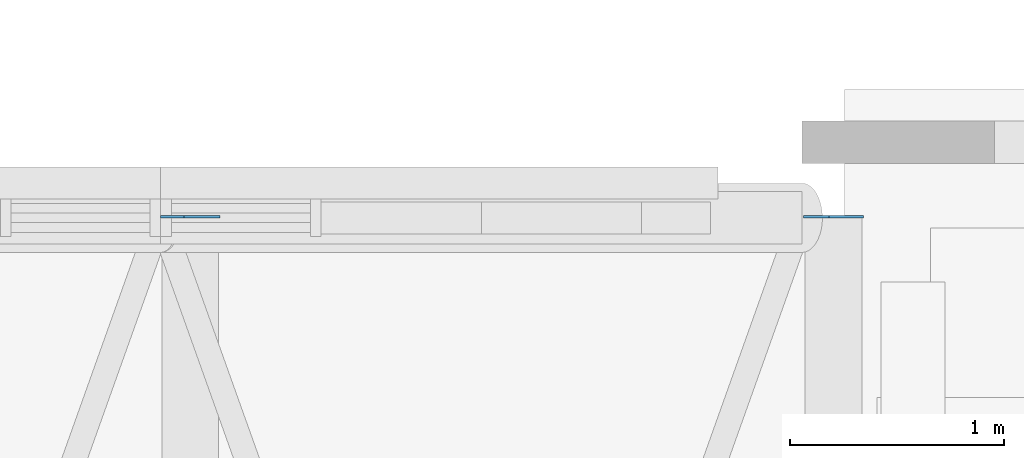
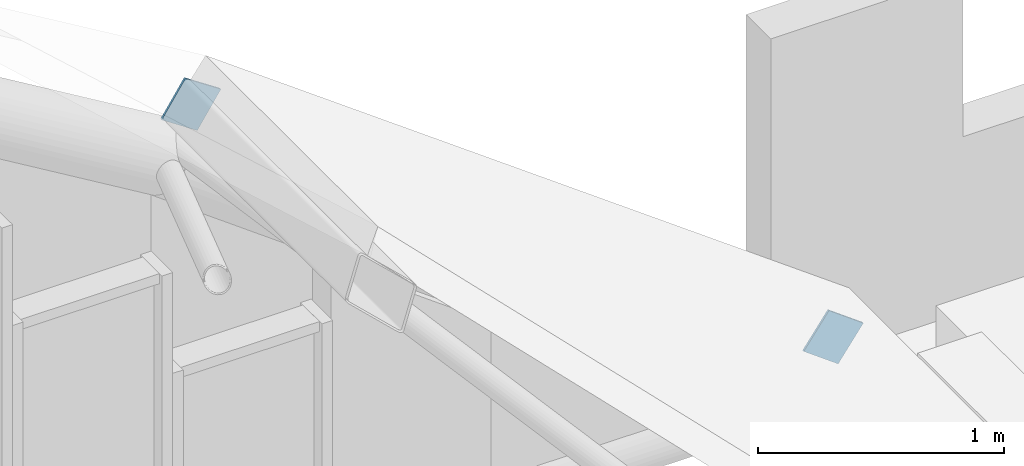
# One storey, part 132 of 153: 2 discrete accessories.
"""IFC4 building model written with IfcOpenShell, lengths in metres."""

import ifcopenshell
import ifcopenshell.guid

model = None  # the IFC model being written
_history = None  # IfcOwnerHistory: only IFC2X3 demands one
_inside = {}  # id of a spatial element -> (the spatial element, [elements in it])
_under = {}  # id of a project, library or spatial element -> (it, [spatial elements below it])
_declared = {}  # id of a project -> (the project, [libraries it declares])
_typed = {}  # id of a type object -> (the type object, [elements of that type])
_made_of = {}  # id of a material, layer set ... -> (it, [elements and type objects made of it])


def new_model(schema):
    """Start an empty IFC model of exactly this schema.

    Asked for "IFC4X3", IfcOpenShell would pick the latest addendum, in which some entities
    have other attributes; the version numbers below select the first issue.
    IFC2X3 requires an IfcOwnerHistory on every rooted entity: one is made here for all.
    """
    global model, _history
    if schema == "IFC4X3":
        model = ifcopenshell.file(schema_version=(4, 3, 0, 0))
    else:
        model = ifcopenshell.file(schema=schema)
    _inside.clear()
    _under.clear()
    _declared.clear()
    _typed.clear()
    _made_of.clear()
    _history = None
    if model.schema == "IFC2X3":
        org = make("IfcOrganization", Name="unknown")
        user = make(
            "IfcPersonAndOrganization",
            ThePerson=make("IfcPerson", FamilyName="unknown"),
            TheOrganization=org,
        )
        app = make(
            "IfcApplication",
            ApplicationDeveloper=org,
            Version="unknown",
            ApplicationFullName="unknown",
            ApplicationIdentifier="unknown",
        )
        _history = make(
            "IfcOwnerHistory",
            OwningUser=user,
            OwningApplication=app,
            ChangeAction="ADDED",
            CreationDate=0,
        )
    return model


def make(cls, **values):
    """One entity of the class cls with the attributes given. An attribute that is None is left unset."""
    return model.create_entity(
        cls, **{name: value for name, value in values.items() if value is not None}
    )


def rooted(cls, **values):
    """An entity with a GlobalId (a new one), such as an element, a storey or a relation."""
    return make(cls, GlobalId=ifcopenshell.guid.new(), OwnerHistory=_history, **values)


def si_unit(unit_type, name, prefix=None):
    """IfcSIUnit, for example si_unit("LENGTHUNIT", "METRE", prefix="MILLI")."""
    return make("IfcSIUnit", UnitType=unit_type, Prefix=prefix, Name=name)


def assignment(units):
    """IfcUnitAssignment: the units of a project."""
    return None if units is None else make("IfcUnitAssignment", Units=units)


def point(xyz):
    """IfcCartesianPoint."""
    return None if xyz is None else make("IfcCartesianPoint", Coordinates=xyz)


def direction(xyz):
    """IfcDirection."""
    return None if xyz is None else make("IfcDirection", DirectionRatios=xyz)


def frame(location, z_axis=None, x_axis=None):
    """IfcAxis2Placement3D, a coordinate frame: its origin and axes. An axis left out is left unset."""
    return make(
        "IfcAxis2Placement3D",
        Location=point(location),
        Axis=direction(z_axis),
        RefDirection=direction(x_axis),
    )


def frame_2d(location, x_axis=None):
    """IfcAxis2Placement2D, a coordinate frame in the plane: its origin and x axis."""
    return make(
        "IfcAxis2Placement2D", Location=point(location), RefDirection=direction(x_axis)
    )


def origin():
    """The frame at (0, 0, 0) with its axes left unset."""
    return frame((0.0, 0.0, 0.0))


def origin_2d():
    """The frame at (0, 0) in the plane with its x axis left unset."""
    return frame_2d((0.0, 0.0))


def place(relative_to, where):
    """IfcLocalPlacement: puts the frame where relative to a parent placement (None: the world)."""
    return make(
        "IfcLocalPlacement", PlacementRelTo=relative_to, RelativePlacement=where
    )


def context(
    kind, dimensions, precision=None, world=None, true_north=None, identifier=None
):
    """IfcGeometricRepresentationContext, for example the 3D "Model" context."""
    return make(
        "IfcGeometricRepresentationContext",
        ContextIdentifier=identifier,
        ContextType=kind,
        CoordinateSpaceDimension=dimensions,
        Precision=precision,
        WorldCoordinateSystem=world,
        TrueNorth=true_north,
    )


def subcontext(parent, identifier, kind, view, scale=None):
    """IfcGeometricRepresentationSubContext, for example "Body" below "Model"."""
    return make(
        "IfcGeometricRepresentationSubContext",
        ContextIdentifier=identifier,
        ContextType=kind,
        ParentContext=parent,
        TargetScale=scale,
        TargetView=view,
    )


def project(units=None, contexts=None):
    """IfcProject with its units and contexts."""
    return rooted(
        "IfcProject",
        Name="project",
        RepresentationContexts=contexts,
        UnitsInContext=assignment(units),
    )


def spatial(cls, under=None, at=None, **own):
    """A site, building, storey or space (cls), placed at a placement, below another one or the project."""
    s = rooted(cls, ObjectPlacement=at, **own)
    if under is not None:
        _under.setdefault(under.id(), (under, []))[1].append(s)
    return s


def profile(cls, at=None, kind="AREA", **sizes):
    """A parametric profile (cls). Its sizes go by their IFC names, for example OverallWidth=200.0."""
    return make(cls, ProfileType=kind, Position=at, **sizes)


def rectangle(**sizes):
    """IfcRectangleProfileDef."""
    return profile("IfcRectangleProfileDef", **sizes)


def extrude(swept, where, along, depth):
    """IfcExtrudedAreaSolid: the profile swept, set in the frame where, extruded along a direction by depth."""
    return make(
        "IfcExtrudedAreaSolid",
        SweptArea=swept,
        Position=where,
        ExtrudedDirection=direction(along),
        Depth=depth,
    )


def shape(context_of_items, identifier, shape_type, items):
    """IfcShapeRepresentation: the items that make up one representation, for example the "Body"."""
    return make(
        "IfcShapeRepresentation",
        ContextOfItems=context_of_items,
        RepresentationIdentifier=identifier,
        RepresentationType=shape_type,
        Items=items,
    )


def material(Name=None, Category=None):
    """IfcMaterial."""
    return make("IfcMaterial", Name=Name, Category=Category)


def made_of(thing, what):
    """Note that an element or type object is made of a material, layer set ...; save() writes the relation."""
    if what is not None:
        _made_of.setdefault(what.id(), (what, []))[1].append(thing)
    return thing


def type_object(cls, material=None, **own):
    """A type object (cls), such as IfcWallType, which elements share."""
    return made_of(rooted(cls, **own), material)


def element(
    cls,
    number,
    at=None,
    inside=None,
    cuts=None,
    type_object=None,
    material=None,
    context=None,
    identifier="Body",
    shape_type=None,
    held_by="IfcProductDefinitionShape",
    body=None,
    shapes=None,
    **own,
):
    """One element of the class cls, such as IfcWall. Its Tag is "e" and its number.

    at: its placement. inside: the storey or other place that contains it. cuts: it is an
    opening in that element (IfcRelVoidsElement). A single representation is given by context,
    identifier, shape_type and body (its items); several are given by shapes. held_by: the class
    of the entity that holds the representations. save() writes the other relations.
    """
    e = rooted(cls, Tag="e%d" % number, ObjectPlacement=at, **own)
    if body is not None:
        shapes = [shape(context, identifier, shape_type, body)]
    if shapes is not None:
        e.Representation = make(held_by, Representations=shapes)
    if inside is not None:
        _inside.setdefault(inside.id(), (inside, []))[1].append(e)
    if cuts is not None:
        rooted(
            "IfcRelVoidsElement", RelatingBuildingElement=cuts, RelatedOpeningElement=e
        )
    if type_object is not None:
        _typed.setdefault(type_object.id(), (type_object, []))[1].append(e)
    return made_of(e, material)


def aggregate(whole, parts):
    """IfcRelAggregates: a whole, such as a stair, and the parts it consists of."""
    return rooted("IfcRelAggregates", RelatingObject=whole, RelatedObjects=parts)


def save(model, path):
    """Write the relations noted so far, then the file.

    IfcRelAggregates (storeys below a building ...), IfcRelContainedInSpatialStructure (elements
    in a storey), IfcRelDefinesByType, IfcRelAssociatesMaterial and IfcRelDeclares: one each for
    every whole, place, type object, material and project.
    """
    for whole, parts in _under.values():
        aggregate(whole, parts)
    for where, things in _inside.values():
        rooted(
            "IfcRelContainedInSpatialStructure",
            RelatedElements=things,
            RelatingStructure=where,
        )
    for kind, things in _typed.values():
        rooted("IfcRelDefinesByType", RelatedObjects=things, RelatingType=kind)
    for what, things in _made_of.values():
        rooted("IfcRelAssociatesMaterial", RelatedObjects=things, RelatingMaterial=what)
    for by, libraries in _declared.values():
        rooted("IfcRelDeclares", RelatingContext=by, RelatedDefinitions=libraries)
    model.write(path)


model = new_model("IFC4")

# Units and contexts
model_context = context("Model", 3, precision=1e-05, world=origin(), true_north=direction((0.0, 1.0)))
body_context = subcontext(model_context, "Body", "Model", "MODEL_VIEW")
ifc_project = project(units=[si_unit("LENGTHUNIT", "METRE"), si_unit("AREAUNIT", "SQUARE_METRE"), si_unit("VOLUMEUNIT", "CUBIC_METRE"), si_unit("PLANEANGLEUNIT", "RADIAN"), si_unit("MASSUNIT", "GRAM", prefix="KILO")], contexts=[model_context])

# Site, building, storey
site_placement = place(None, origin())
site = spatial("IfcSite", under=ifc_project, at=site_placement, CompositionType="ELEMENT")
building_placement = place(site_placement, origin())
building = spatial("IfcBuilding", under=site, at=building_placement, Name="Baradari Gate Terminus", CompositionType="ELEMENT")
storey_placement = place(building_placement, frame((0.0, 0.0, 11.699951171875)))
storey = spatial("IfcBuildingStorey", under=building, at=storey_placement, Name="L02", CompositionType="ELEMENT", Elevation=11.699951171875)

# Discrete accessories
ifc_material = material(Name="Steel S355", Category="steel")
discrete_accessory_type = type_object("IfcDiscreteAccessoryType", Name="Hollow section end plate EP-1 200x200x10", PredefinedType="ANCHORPLATE", material=ifc_material)
for number, where, z_axis, x_axis, name in (
    (1, (168.138427734375, 107.39990234375, 2.530517578125), (0.0, 1.0, 0.0), (-0.832836263724, 0.0, 0.55351942859), "End plate EP-1 at the end of TR/L02/VP3-PU11"),
    (2, (171.147705078125, 107.39990234375, 0.323974609375), (0.0, 1.0, 0.0), (-0.80640499586, 0.0, 0.591363663621), "End plate EP-1 at the end of TR/L02/VP3-PU12"),
):
    element("IfcDiscreteAccessory", number, at=place(storey_placement, frame(where, z_axis=z_axis, x_axis=x_axis)), inside=storey, type_object=discrete_accessory_type, Name=name, PredefinedType="ANCHORPLATE", context=body_context, shape_type="SweptSolid", body=[
        extrude(rectangle(XDim=0.199951171875, YDim=0.199951171875, at=origin_2d()), origin(), (0.0, 0.0, 1.0), 0.010009765625),
    ])

save(model, "model.ifc")
